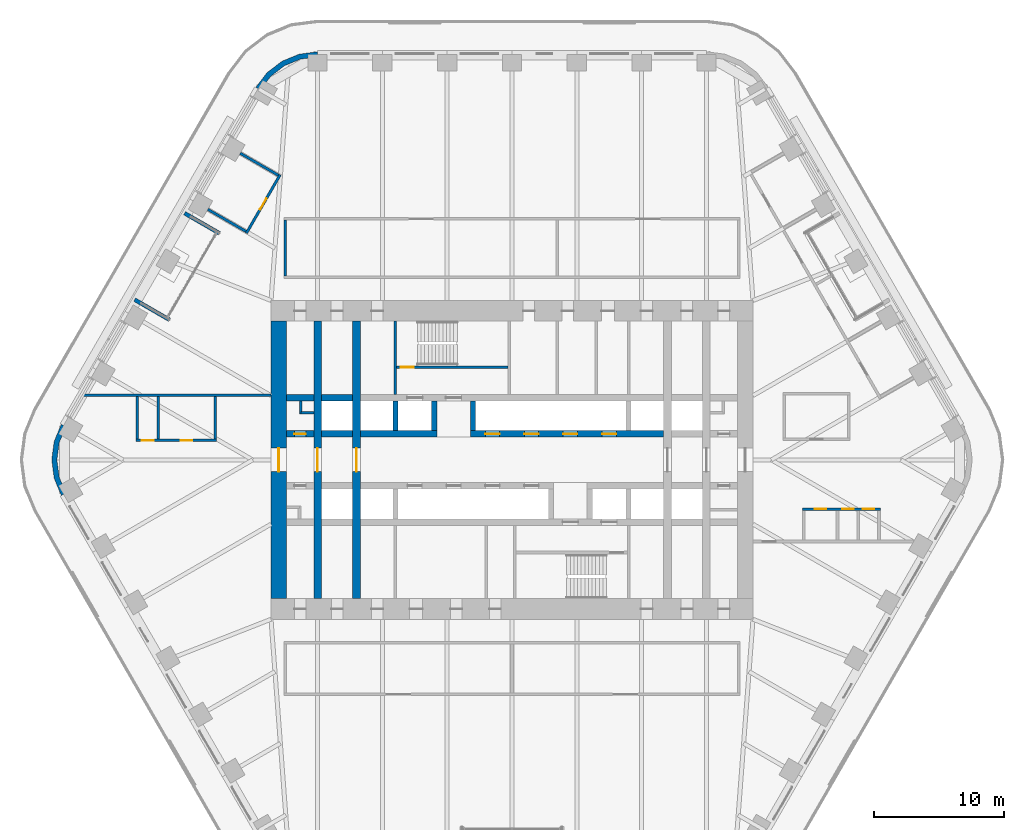
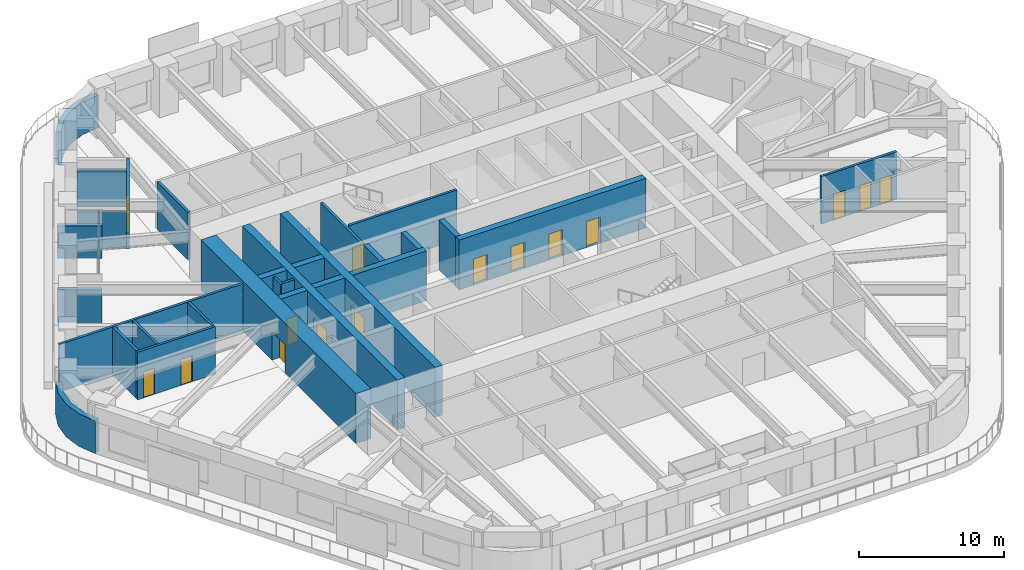
# One storey, part 19 of 24: 30 walls, 15 doors, 15 openings.
"""IFC4 building model written with IfcOpenShell, lengths in metres."""

from ifc_helpers import new_model, si_unit, direction, frame, frame_2d, origin, place, context, subcontext, project, spatial, polyline, rectangle, outline, extrude, material, layer, layer_set, type_object, element, fill, save


model = new_model("IFC4")

# Units and contexts
model_context = context("Model", 3, precision=1e-05, world=origin(), true_north=direction((0.0, 1.0)))
body_context = subcontext(model_context, "Body", "Model", "MODEL_VIEW")
ifc_project = project(units=[si_unit("LENGTHUNIT", "METRE"), si_unit("AREAUNIT", "SQUARE_METRE"), si_unit("VOLUMEUNIT", "CUBIC_METRE"), si_unit("PLANEANGLEUNIT", "RADIAN"), si_unit("MASSUNIT", "GRAM", prefix="KILO")], contexts=[model_context])

# Site, building, storey
site_placement = place(None, origin())
site = spatial("IfcSite", under=ifc_project, at=site_placement, CompositionType="ELEMENT")
building_placement = place(site_placement, origin())
building = spatial("IfcBuilding", under=site, at=building_placement, Name="Tarfa Lantern Tower", CompositionType="ELEMENT")
storey_placement = place(building_placement, frame((0.0, 0.0, 195.10009765625)))
storey = spatial("IfcBuildingStorey", under=building, at=storey_placement, Name="L44", CompositionType="ELEMENT", Elevation=195.10009765625)

# Walls
ifc_material_1 = material(Name="Limestone cladding on blockwork", Category="masonry")
ifc_layer_1 = layer(ifc_material_1, 0.300048828125)
ifc_layer_set_1 = layer_set([ifc_layer_1], Name="EW1 STONE-CLAD WALL 300")
wall_type_1 = type_object("IfcWallType", Name="EW1 STONE-CLAD WALL 300", PredefinedType="SOLIDWALL", material=ifc_layer_set_1)
wall_1_placement = place(storey_placement, frame((-25.266357421875, 19.037353515625, 0.0), z_axis=(0.0, 0.0, 1.0), x_axis=(0.86600983753, -0.500026960575, 0.0)))
element("IfcWall", 1, at=wall_1_placement, inside=storey, type_object=wall_type_1, Name="Loggia return NW 1", PredefinedType="SOLIDWALL", context=body_context, shape_type="SweptSolid", body=[
    extrude(rectangle(XDim=3.099853515625, YDim=0.300048828125, at=frame_2d((1.5498046875, 0.0))), origin(), (0.0, 0.0, 1.0), 2.75),
])
wall_2_placement = place(storey_placement, frame((-29.1201171875, 12.362548828125, 0.0), z_axis=(0.0, 0.0, 1.0), x_axis=(0.86602952684, -0.49999285859, 0.0)))
element("IfcWall", 2, at=wall_2_placement, inside=storey, type_object=wall_type_1, Name="Loggia return NW 2", PredefinedType="SOLIDWALL", context=body_context, shape_type="SweptSolid", body=[
    extrude(rectangle(XDim=3.10009765625, YDim=0.300048828125, at=frame_2d((1.550048828125, 0.0))), origin(), (0.0, 0.0, 1.0), 2.75),
])
ifc_layer_2 = layer(ifc_material_1, 0.39990234375)
ifc_layer_set_2 = layer_set([ifc_layer_2], Name="EW2 CURVED STONE CORNER 400")
wall_type_2 = type_object("IfcWallType", Name="EW2 CURVED STONE CORNER 400", PredefinedType="SOLIDWALL", material=ifc_layer_set_2)
wall_3_placement = place(storey_placement, origin())
element("IfcWall", 3, at=wall_3_placement, inside=storey, type_object=wall_type_2, Name="Stone corner N-NW", PredefinedType="SOLIDWALL", context=body_context, shape_type="SweptSolid", body=[
    extrude(outline(polyline([(-15.010986328125, 31.5), (-16.4345703125, 31.3125), (-17.760986328125, 30.76318359375), (-18.900146484375, 29.88916015625), (-19.774169921875, 28.75), (-19.427734375, 28.550048828125), (-18.617431640625, 29.606201171875), (-17.56103515625, 30.416748046875), (-16.3310546875, 30.92626953125), (-15.010986328125, 31.10009765625), (-15.010986328125, 31.5)])), origin(), (0.0, 0.0, 1.0), 2.75),
])
wall_4_placement = place(storey_placement, origin())
element("IfcWall", 4, at=wall_4_placement, inside=storey, type_object=wall_type_2, Name="Stone corner NW-SW", PredefinedType="SOLIDWALL", context=body_context, shape_type="SweptSolid", body=[
    extrude(outline(polyline([(-34.785400390625, 2.75), (-35.334716796875, 1.423583984375), (-35.522216796875, 0.0), (-35.334716796875, -1.423583984375), (-34.785400390625, -2.75), (-34.43896484375, -2.550048828125), (-34.948486328125, -1.320068359375), (-35.122314453125, 0.0), (-34.948486328125, 1.320068359375), (-34.43896484375, 2.550048828125), (-34.785400390625, 2.75)])), origin(), (0.0, 0.0, 1.0), 2.75),
])
ifc_material_2 = material(Name="Concrete blockwork", Category="masonry")
ifc_layer_3 = layer(ifc_material_2, 0.199951171875)
ifc_layer_set_3 = layer_set([ifc_layer_3], Name="IW1 BLOCKWORK PARTITION 200 EI 120")
wall_type_3 = type_object("IfcWallType", Name="IW1 BLOCKWORK PARTITION 200 EI 120", PredefinedType="PARTITIONING", material=ifc_layer_set_3)
wall_5_placement = place(storey_placement, frame((-9.0, 5.050048828125, 0.0), z_axis=(0.0, 0.0, 1.0), x_axis=(0.0, 1.0, 0.0)))
element("IfcWall", 5, at=wall_5_placement, inside=storey, type_object=wall_type_3, Name="Core partition", PredefinedType="PARTITIONING", context=body_context, shape_type="SweptSolid", body=[
    extrude(rectangle(XDim=5.64990234375, YDim=0.199951171875, at=frame_2d((2.824951171875, 0.0))), origin(), (0.0, 0.0, 1.0), 4.0),
])
for number, where, z_axis, x_axis, name in (
    (6, (-16.300048828125, 3.64990234375, 0.0), (0.0, 0.0, 1.0), (1.0, 0.0, 0.0), "Core partition"),
    (7, (-16.300048828125, 3.550048828125, 0.0), (0.0, 0.0, 1.0), (0.0, 1.0, 0.0), "Core partition"),
):
    element("IfcWall", number, at=place(storey_placement, frame(where, z_axis=z_axis, x_axis=x_axis)), inside=storey, type_object=wall_type_3, Name=name, PredefinedType="PARTITIONING", context=body_context, shape_type="SweptSolid", body=[
        extrude(rectangle(XDim=1.0, YDim=0.199951171875, at=frame_2d((0.5, 0.0))), origin(), (0.0, 0.0, 1.0), 4.0),
    ])
ifc_material_3 = material(Name="Gypsum board on steel studs", Category="steel")
ifc_layer_4 = layer(ifc_material_3, 0.2099609375)
ifc_layer_set_4 = layer_set([ifc_layer_4], Name="IW2 ACOUSTIC PARTITION 200")
wall_type_4 = type_object("IfcWallType", Name="IW2 ACOUSTIC PARTITION 200", PredefinedType="PARTITIONING", material=ifc_layer_set_4)
wall_6_placement = place(storey_placement, frame((-17.5, 14.199951171875, 0.0), z_axis=(0.0, 0.0, 1.0), x_axis=(0.0, 1.0, 0.0)))
element("IfcWall", 8, at=wall_6_placement, inside=storey, type_object=wall_type_4, Name="Partition", PredefinedType="PARTITIONING", context=body_context, shape_type="SweptSolid", body=[
    extrude(rectangle(XDim=4.300048828125, YDim=0.199951171875, at=frame_2d((2.14990234375, 0.0))), origin(), (0.0, 0.0, 1.0), 4.0),
])

# Wall, opening, door
wall_7_placement = place(storey_placement, frame((-17.89599609375, 22.003173828125, 0.0), z_axis=(0.0, 0.0, 1.0), x_axis=(-0.500009456303, -0.866019944116, 0.0)))
wall_7 = element("IfcWall", 9, at=wall_7_placement, inside=storey, type_object=wall_type_4, Name="Partition", PredefinedType="PARTITIONING", context=body_context, shape_type="SweptSolid", body=[
    extrude(rectangle(XDim=5.20361328125, YDim=0.199951171875, at=frame_2d((2.601806640625, 0.0))), origin(), (0.0, 0.0, 1.0), 4.0),
])
opening_1_placement = place(wall_7_placement, frame((2.101806640625, 0.0, 0.0)))
opening_1 = element("IfcOpeningElement", 10, at=opening_1_placement, cuts=wall_7, Name="Opening D38", PredefinedType="OPENING", context=body_context, shape_type="SweptSolid", body=[
    extrude(rectangle(XDim=1.0, YDim=2.199951171875, at=frame_2d((0.5, 1.10009765625))), frame((0.0, 0.10986328125, 0.0), z_axis=(0.0, -1.0, 0.0), x_axis=(1.0, 0.0, 0.0)), (0.0, 0.0, 1.0), 0.219970703125),
])
ifc_material_4 = material(Name="Timber door", Category="wood")
door_type_1 = type_object("IfcDoorType", Name="DR1 ROOM DOOR 1000x2200", OperationType="SINGLE_SWING_LEFT", PredefinedType="DOOR", material=ifc_material_4)
door_1_placement = place(opening_1_placement, frame((1.0, 0.0, 0.0), z_axis=(0.0, 0.0, 1.0), x_axis=(-1.0, 0.0, 0.0)))
door_1 = element("IfcDoor", 11, at=door_1_placement, inside=storey, type_object=door_type_1, Name="Materials preparation room door", OperationType="SINGLE_SWING_RIGHT", OverallHeight=2.199951171875, OverallWidth=1.0, PredefinedType="DOOR", context=body_context, shape_type="SweptSolid", body=[
    extrude(rectangle(XDim=1.0, YDim=2.199951171875, at=frame_2d((0.5, 1.10009765625))), frame((0.0, 0.02490234375, 0.0), z_axis=(0.0, -1.0, 0.0), x_axis=(1.0, 0.0, 0.0)), (0.0, 0.0, 1.0), 0.050048828125),
])
fill(opening_1, door_1)

# Walls
for number, where, z_axis, x_axis, name in (
    (12, (-18.032470703125, 21.966552734375, 0.0), (0.0, 0.0, 1.0), (-0.866007419912, 0.500031147688, 0.0), "Partition"),
    (13, (-20.534423828125, 17.63330078125, 0.0), (0.0, 0.0, 1.0), (-0.866038511948, 0.499977295307, 0.0), "Partition"),
):
    element("IfcWall", number, at=place(storey_placement, frame(where, z_axis=z_axis, x_axis=x_axis)), inside=storey, type_object=wall_type_4, Name=name, PredefinedType="PARTITIONING", context=body_context, shape_type="SweptSolid", body=[
        extrude(rectangle(XDim=3.400146484375, YDim=0.199951171875, at=frame_2d((1.7001953125, 0.0))), origin(), (0.0, 0.0, 1.0), 3.08154296875),
    ])
wall_8_placement = place(storey_placement, frame((-18.60009765625, 5.0, 0.0), z_axis=(0.0, 0.0, 1.0), x_axis=(-1.0, 0.0, 0.0)))
element("IfcWall", 14, at=wall_8_placement, inside=storey, type_object=wall_type_4, Name="Partition", PredefinedType="PARTITIONING", context=body_context, shape_type="SweptSolid", body=[
    extrude(rectangle(XDim=14.632080078125, YDim=0.199951171875, at=frame_2d((7.31591796875, 0.0))), origin(), (0.0, 0.0, 1.0), 4.0),
])

# Wall, openings, doors
wall_9_placement = place(storey_placement, frame((-22.816162109375, 1.5, 0.0), z_axis=(0.0, 0.0, 1.0), x_axis=(-1.0, 0.0, 0.0)))
wall_9 = element("IfcWall", 15, at=wall_9_placement, inside=storey, type_object=wall_type_4, Name="Partition", PredefinedType="PARTITIONING", context=body_context, shape_type="SweptSolid", body=[
    extrude(rectangle(XDim=6.199951171875, YDim=0.199951171875, at=frame_2d((3.10009765625, 0.0))), origin(), (0.0, 0.0, 1.0), 4.0),
])
opening_2_placement = place(wall_9_placement, frame((1.85009765625, 0.0, 0.0)))
opening_2 = element("IfcOpeningElement", 16, at=opening_2_placement, cuts=wall_9, Name="Opening D43", PredefinedType="OPENING", context=body_context, shape_type="SweptSolid", body=[
    extrude(rectangle(XDim=0.89990234375, YDim=2.199951171875, at=frame_2d((0.449951171875, 1.10009765625))), frame((0.0, 0.10986328125, 0.0), z_axis=(0.0, -1.0, 0.0), x_axis=(1.0, 0.0, 0.0)), (0.0, 0.0, 1.0), 0.219970703125),
])
opening_3_placement = place(wall_9_placement, frame((4.85009765625, 0.0, 0.0)))
opening_3 = element("IfcOpeningElement", 17, at=opening_3_placement, cuts=wall_9, Name="Opening D44", PredefinedType="OPENING", context=body_context, shape_type="SweptSolid", body=[
    extrude(rectangle(XDim=0.89990234375, YDim=2.199951171875, at=frame_2d((0.449951171875, 1.10009765625))), frame((0.0, 0.10986328125, 0.0), z_axis=(0.0, -1.0, 0.0), x_axis=(1.0, 0.0, 0.0)), (0.0, 0.0, 1.0), 0.219970703125),
])
door_type_2 = type_object("IfcDoorType", Name="DR3 ROOM DOOR 900x2200", OperationType="SINGLE_SWING_LEFT", PredefinedType="DOOR", material=ifc_material_4)
door_2_placement = place(opening_2_placement, frame((0.89990234375, 0.0, 0.0), z_axis=(0.0, 0.0, 1.0), x_axis=(-1.0, 0.0, 0.0)))
door_2 = element("IfcDoor", 18, at=door_2_placement, inside=storey, type_object=door_type_2, Name="Meeting room door", OperationType="SINGLE_SWING_LEFT", OverallHeight=2.199951171875, OverallWidth=0.89990234375, PredefinedType="DOOR", context=body_context, shape_type="SweptSolid", body=[
    extrude(rectangle(XDim=0.89990234375, YDim=2.199951171875, at=frame_2d((0.449951171875, 1.10009765625))), frame((0.0, 0.02490234375, 0.0), z_axis=(0.0, -1.0, 0.0), x_axis=(1.0, 0.0, 0.0)), (0.0, 0.0, 1.0), 0.050048828125),
])
fill(opening_2, door_2)
door_3_placement = place(opening_3_placement, frame((0.89990234375, 0.0, 0.0), z_axis=(0.0, 0.0, 1.0), x_axis=(-1.0, 0.0, 0.0)))
door_3 = element("IfcDoor", 19, at=door_3_placement, inside=storey, type_object=door_type_2, Name="Phone booth door", OperationType="SINGLE_SWING_RIGHT", OverallHeight=2.199951171875, OverallWidth=0.89990234375, PredefinedType="DOOR", context=body_context, shape_type="SweptSolid", body=[
    extrude(rectangle(XDim=0.89990234375, YDim=2.199951171875, at=frame_2d((0.449951171875, 1.10009765625))), frame((0.0, 0.02490234375, 0.0), z_axis=(0.0, -1.0, 0.0), x_axis=(1.0, 0.0, 0.0)), (0.0, 0.0, 1.0), 0.050048828125),
])
fill(opening_3, door_3)

# Walls
for number, where, z_axis, x_axis, name in (
    (20, (-22.916015625, 4.89990234375, 0.0), (0.0, 0.0, 1.0), (0.0, -1.0, 0.0), "Partition"),
    (21, (-27.316162109375, 4.89990234375, 0.0), (0.0, 0.0, 1.0), (0.0, -1.0, 0.0), "Partition"),
    (22, (-28.916015625, 4.89990234375, 0.0), (0.0, 0.0, 1.0), (0.0, -1.0, 0.0), "Partition"),
):
    element("IfcWall", number, at=place(storey_placement, frame(where, z_axis=z_axis, x_axis=x_axis)), inside=storey, type_object=wall_type_4, Name=name, PredefinedType="PARTITIONING", context=body_context, shape_type="SweptSolid", body=[
        extrude(rectangle(XDim=3.2998046875, YDim=0.199951171875, at=frame_2d((1.64990234375, 0.0))), origin(), (0.0, 0.0, 1.0), 4.0),
    ])

# Wall, openings, doors
wall_10_placement = place(storey_placement, frame((22.422119140625, -3.800048828125, 0.0), z_axis=(0.0, 0.0, 1.0), x_axis=(1.0, 0.0, 0.0)))
wall_10 = element("IfcWall", 23, at=wall_10_placement, inside=storey, type_object=wall_type_4, Name="Partition", PredefinedType="PARTITIONING", context=body_context, shape_type="SweptSolid", body=[
    extrude(rectangle(XDim=6.0, YDim=0.199951171875, at=frame_2d((3.0, 0.0))), origin(), (0.0, 0.0, 1.0), 4.0),
])
opening_4_placement = place(wall_10_placement, frame((0.949951171875, 0.0, 0.0)))
opening_4 = element("IfcOpeningElement", 24, at=opening_4_placement, cuts=wall_10, Name="Opening D45", PredefinedType="OPENING", context=body_context, shape_type="SweptSolid", body=[
    extrude(rectangle(XDim=0.89990234375, YDim=2.199951171875, at=frame_2d((0.449951171875, 1.10009765625))), frame((0.0, 0.10986328125, 0.0), z_axis=(0.0, -1.0, 0.0), x_axis=(1.0, 0.0, 0.0)), (0.0, 0.0, 1.0), 0.219970703125),
])
opening_5_placement = place(wall_10_placement, frame((3.050048828125, 0.0, 0.0)))
opening_5 = element("IfcOpeningElement", 25, at=opening_5_placement, cuts=wall_10, Name="Opening D46", PredefinedType="OPENING", context=body_context, shape_type="SweptSolid", body=[
    extrude(rectangle(XDim=0.89990234375, YDim=2.199951171875, at=frame_2d((0.449951171875, 1.10009765625))), frame((0.0, 0.10986328125, 0.0), z_axis=(0.0, -1.0, 0.0), x_axis=(1.0, 0.0, 0.0)), (0.0, 0.0, 1.0), 0.219970703125),
])
opening_6_placement = place(wall_10_placement, frame((4.64990234375, 0.0, 0.0)))
opening_6 = element("IfcOpeningElement", 26, at=opening_6_placement, cuts=wall_10, Name="Opening D47", PredefinedType="OPENING", context=body_context, shape_type="SweptSolid", body=[
    extrude(rectangle(XDim=0.89990234375, YDim=2.199951171875, at=frame_2d((0.449951171875, 1.10009765625))), frame((0.0, 0.10986328125, 0.0), z_axis=(0.0, -1.0, 0.0), x_axis=(1.0, 0.0, 0.0)), (0.0, 0.0, 1.0), 0.219970703125),
])
door_4_placement = place(opening_4_placement, frame((0.89990234375, 0.0, 0.0), z_axis=(0.0, 0.0, 1.0), x_axis=(-1.0, 0.0, 0.0)))
door_4 = element("IfcDoor", 27, at=door_4_placement, inside=storey, type_object=door_type_2, Name="Print and copy room door", OperationType="SINGLE_SWING_LEFT", OverallHeight=2.199951171875, OverallWidth=0.89990234375, PredefinedType="DOOR", context=body_context, shape_type="SweptSolid", body=[
    extrude(rectangle(XDim=0.89990234375, YDim=2.199951171875, at=frame_2d((0.449951171875, 1.10009765625))), frame((0.0, 0.02490234375, 0.0), z_axis=(0.0, -1.0, 0.0), x_axis=(1.0, 0.0, 0.0)), (0.0, 0.0, 1.0), 0.050048828125),
])
fill(opening_4, door_4)
door_5_placement = place(opening_5_placement, frame((0.89990234375, 0.0, 0.0), z_axis=(0.0, 0.0, 1.0), x_axis=(-1.0, 0.0, 0.0)))
door_5 = element("IfcDoor", 28, at=door_5_placement, inside=storey, type_object=door_type_2, Name="Phone booth door", OperationType="SINGLE_SWING_RIGHT", OverallHeight=2.199951171875, OverallWidth=0.89990234375, PredefinedType="DOOR", context=body_context, shape_type="SweptSolid", body=[
    extrude(rectangle(XDim=0.89990234375, YDim=2.199951171875, at=frame_2d((0.449951171875, 1.10009765625))), frame((0.0, 0.02490234375, 0.0), z_axis=(0.0, -1.0, 0.0), x_axis=(1.0, 0.0, 0.0)), (0.0, 0.0, 1.0), 0.050048828125),
])
fill(opening_5, door_5)
door_6_placement = place(opening_6_placement, frame((0.89990234375, 0.0, 0.0), z_axis=(0.0, 0.0, 1.0), x_axis=(-1.0, 0.0, 0.0)))
door_6 = element("IfcDoor", 29, at=door_6_placement, inside=storey, type_object=door_type_2, Name="Phone booth door", OperationType="SINGLE_SWING_RIGHT", OverallHeight=2.199951171875, OverallWidth=0.89990234375, PredefinedType="DOOR", context=body_context, shape_type="SweptSolid", body=[
    extrude(rectangle(XDim=0.89990234375, YDim=2.199951171875, at=frame_2d((0.449951171875, 1.10009765625))), frame((0.0, 0.02490234375, 0.0), z_axis=(0.0, -1.0, 0.0), x_axis=(1.0, 0.0, 0.0)), (0.0, 0.0, 1.0), 0.050048828125),
])
fill(opening_6, door_6)

# Wall, opening, door
ifc_material_5 = material(Name="Concrete C80/95", Category="concrete")
ifc_layer_5 = layer(ifc_material_5, 1.199951171875)
ifc_layer_set_5 = layer_set([ifc_layer_5], Name="SW1 CORE WALL 1200")
wall_type_5 = type_object("IfcWallType", Name="SW1 CORE WALL 1200", PredefinedType="SHEAR", material=ifc_layer_set_5)
wall_11_placement = place(storey_placement, frame((-18.0, 10.699951171875, 0.0), z_axis=(0.0, 0.0, 1.0), x_axis=(0.0, -1.0, 0.0)))
wall_11 = element("IfcWall", 30, at=wall_11_placement, inside=storey, type_object=wall_type_5, Name="Core wall W", PredefinedType="SHEAR", context=body_context, shape_type="SweptSolid", body=[
    extrude(rectangle(XDim=21.39990234375, YDim=1.199951171875, at=frame_2d((10.699951171875, 0.0))), origin(), (0.0, 0.0, 1.0), 4.199951171875),
])
opening_7_placement = place(wall_11_placement, frame((9.800048828125, 0.0, 0.0)))
opening_7 = element("IfcOpeningElement", 31, at=opening_7_placement, cuts=wall_11, Name="Opening D16", PredefinedType="OPENING", context=body_context, shape_type="SweptSolid", body=[
    extrude(rectangle(XDim=1.800048828125, YDim=2.39990234375, at=frame_2d((0.89990234375, 1.199951171875))), frame((0.0, 0.60986328125, 0.0), z_axis=(0.0, -1.0, 0.0), x_axis=(1.0, 0.0, 0.0)), (0.0, 0.0, 1.0), 1.219970703125),
])
ifc_material_6 = material(Name="Steel fire door", Category="steel")
door_type_3 = type_object("IfcDoorType", Name="DL1 LOBBY DOOR 1800x2400", OperationType="DOUBLE_DOOR_SINGLE_SWING", PredefinedType="DOOR", material=ifc_material_6)
door_7_placement = place(opening_7_placement, frame((1.800048828125, 0.0, 0.0), z_axis=(0.0, 0.0, 1.0), x_axis=(-1.0, 0.0, 0.0)))
door_7 = element("IfcDoor", 32, at=door_7_placement, inside=storey, type_object=door_type_3, Name="Lift lobby door", OperationType="DOUBLE_DOOR_SINGLE_SWING", OverallHeight=2.39990234375, OverallWidth=1.800048828125, PredefinedType="DOOR", context=body_context, shape_type="SweptSolid", body=[
    extrude(rectangle(XDim=1.800048828125, YDim=2.39990234375, at=frame_2d((0.89990234375, 1.199951171875))), frame((0.0, 0.02490234375, 0.0), z_axis=(0.0, -1.0, 0.0), x_axis=(1.0, 0.0, 0.0)), (0.0, 0.0, 1.0), 0.050048828125),
])
fill(opening_7, door_7)

ifc_layer_6 = layer(ifc_material_5, 0.199951171875)
ifc_layer_set_6 = layer_set([ifc_layer_6], Name="SW12 CORE WALL 200")
wall_type_6 = type_object("IfcWallType", Name="SW12 CORE WALL 200", PredefinedType="SHEAR", material=ifc_layer_set_6)
wall_12_placement = place(storey_placement, frame((-8.89990234375, 7.14990234375, 0.0), z_axis=(0.0, 0.0, 1.0), x_axis=(1.0, 0.0, 0.0)))
wall_12 = element("IfcWall", 33, at=wall_12_placement, inside=storey, type_object=wall_type_6, Name="Core wall stair partition N", PredefinedType="SHEAR", context=body_context, shape_type="SweptSolid", body=[
    extrude(rectangle(XDim=8.599853515625, YDim=0.199951171875, at=frame_2d((4.2998046875, 0.0))), origin(), (0.0, 0.0, 1.0), 4.199951171875),
])
opening_8_placement = place(wall_12_placement, frame((0.300048828125, 0.0, 0.0)))
opening_8 = element("IfcOpeningElement", 34, at=opening_8_placement, cuts=wall_12, Name="Opening D27", PredefinedType="OPENING", context=body_context, shape_type="SweptSolid", body=[
    extrude(rectangle(XDim=1.0, YDim=2.199951171875, at=frame_2d((0.5, 1.10009765625))), frame((0.0, 0.10986328125, 0.0), z_axis=(0.0, -1.0, 0.0), x_axis=(1.0, 0.0, 0.0)), (0.0, 0.0, 1.0), 0.219970703125),
])
door_type_4 = type_object("IfcDoorType", Name="DF2 STAIR DOOR 1000x2200", OperationType="SINGLE_SWING_LEFT", PredefinedType="DOOR", material=ifc_material_6)
door_8_placement = place(opening_8_placement, origin())
door_8 = element("IfcDoor", 35, at=door_8_placement, inside=storey, type_object=door_type_4, Name="Stair door", OperationType="SINGLE_SWING_RIGHT", OverallHeight=2.199951171875, OverallWidth=1.0, PredefinedType="DOOR", context=body_context, shape_type="SweptSolid", body=[
    extrude(rectangle(XDim=1.0, YDim=2.199951171875, at=frame_2d((0.5, 1.10009765625))), frame((0.0, 0.02490234375, 0.0), z_axis=(0.0, -1.0, 0.0), x_axis=(1.0, 0.0, 0.0)), (0.0, 0.0, 1.0), 0.050048828125),
])
fill(opening_8, door_8)

ifc_layer_7 = layer(ifc_material_5, 0.5)
ifc_layer_set_7 = layer_set([ifc_layer_7], Name="SW5 CORE WALL 500")
wall_type_7 = type_object("IfcWallType", Name="SW5 CORE WALL 500", PredefinedType="SHEAR", material=ifc_layer_set_7)
wall_13_placement = place(storey_placement, frame((-17.39990234375, 2.0, 0.0), z_axis=(0.0, 0.0, 1.0), x_axis=(1.0, 0.0, 0.0)))
wall_13 = element("IfcWall", 36, at=wall_13_placement, inside=storey, type_object=wall_type_7, Name="Core wall lobby west N", PredefinedType="SHEAR", context=body_context, shape_type="SweptSolid", body=[
    extrude(rectangle(XDim=2.099853515625, YDim=0.5, at=frame_2d((1.0498046875, 0.0))), origin(), (0.0, 0.0, 1.0), 4.199951171875),
])
opening_9_placement = place(wall_13_placement, frame((0.60009765625, 0.0, 0.0)))
opening_9 = element("IfcOpeningElement", 37, at=opening_9_placement, cuts=wall_13, Name="Opening D19", PredefinedType="OPENING", context=body_context, shape_type="SweptSolid", body=[
    extrude(rectangle(XDim=0.89990234375, YDim=2.199951171875, at=frame_2d((0.449951171875, 1.10009765625))), frame((0.0, 0.260009765625, 0.0), z_axis=(0.0, -1.0, 0.0), x_axis=(1.0, 0.0, 0.0)), (0.0, 0.0, 1.0), 0.52001953125),
])
door_type_5 = type_object("IfcDoorType", Name="DF6 SERVICE ROOM DOOR 900x2200", OperationType="SINGLE_SWING_LEFT", PredefinedType="DOOR", material=ifc_material_6)
door_9_placement = place(opening_9_placement, origin())
door_9 = element("IfcDoor", 38, at=door_9_placement, inside=storey, type_object=door_type_5, Name="Service room door", OperationType="SINGLE_SWING_LEFT", OverallHeight=2.199951171875, OverallWidth=0.89990234375, PredefinedType="DOOR", context=body_context, shape_type="SweptSolid", body=[
    extrude(rectangle(XDim=0.89990234375, YDim=2.199951171875, at=frame_2d((0.449951171875, 1.10009765625))), frame((0.0, 0.02490234375, 0.0), z_axis=(0.0, -1.0, 0.0), x_axis=(1.0, 0.0, 0.0)), (0.0, 0.0, 1.0), 0.050048828125),
])
fill(opening_9, door_9)

# Walls
wall_14_placement = place(storey_placement, frame((-14.699951171875, 2.0, 0.0), z_axis=(0.0, 0.0, 1.0), x_axis=(1.0, 0.0, 0.0)))
element("IfcWall", 39, at=wall_14_placement, inside=storey, type_object=wall_type_7, Name="Core wall lobby west N", PredefinedType="SHEAR", context=body_context, shape_type="SweptSolid", body=[
    extrude(rectangle(XDim=2.39990234375, YDim=0.5, at=frame_2d((1.199951171875, 0.0))), origin(), (0.0, 0.0, 1.0), 4.199951171875),
])
wall_15_placement = place(storey_placement, frame((-11.699951171875, 2.0, 0.0), z_axis=(0.0, 0.0, 1.0), x_axis=(1.0, 0.0, 0.0)))
element("IfcWall", 40, at=wall_15_placement, inside=storey, type_object=wall_type_7, Name="Core wall lobby west N", PredefinedType="SHEAR", context=body_context, shape_type="SweptSolid", body=[
    extrude(rectangle(XDim=5.89990234375, YDim=0.5, at=frame_2d((2.949951171875, 0.0))), origin(), (0.0, 0.0, 1.0), 4.199951171875),
])

# Wall, openings, doors
wall_16_placement = place(storey_placement, frame((-3.199951171875, 2.0, 0.0), z_axis=(0.0, 0.0, 1.0), x_axis=(1.0, 0.0, 0.0)))
wall_16 = element("IfcWall", 41, at=wall_16_placement, inside=storey, type_object=wall_type_7, Name="Core wall lobby east N", PredefinedType="SHEAR", context=body_context, shape_type="SweptSolid", body=[
    extrude(rectangle(XDim=14.89990234375, YDim=0.5, at=frame_2d((7.449951171875, 0.0))), origin(), (0.0, 0.0, 1.0), 4.199951171875),
])
opening_10_placement = place(wall_16_placement, frame((1.14990234375, 0.0, 0.0)))
opening_10 = element("IfcOpeningElement", 42, at=opening_10_placement, cuts=wall_16, Name="Opening LD03", PredefinedType="OPENING", context=body_context, shape_type="SweptSolid", body=[
    extrude(rectangle(XDim=1.10009765625, YDim=2.199951171875, at=frame_2d((0.550048828125, 1.10009765625))), frame((0.0, 0.260009765625, 0.0), z_axis=(0.0, -1.0, 0.0), x_axis=(1.0, 0.0, 0.0)), (0.0, 0.0, 1.0), 0.52001953125),
])
opening_11_placement = place(wall_16_placement, frame((4.14990234375, 0.0, 0.0)))
opening_11 = element("IfcOpeningElement", 43, at=opening_11_placement, cuts=wall_16, Name="Opening LD04", PredefinedType="OPENING", context=body_context, shape_type="SweptSolid", body=[
    extrude(rectangle(XDim=1.10009765625, YDim=2.199951171875, at=frame_2d((0.550048828125, 1.10009765625))), frame((0.0, 0.260009765625, 0.0), z_axis=(0.0, -1.0, 0.0), x_axis=(1.0, 0.0, 0.0)), (0.0, 0.0, 1.0), 0.52001953125),
])
opening_12_placement = place(wall_16_placement, frame((7.14990234375, 0.0, 0.0)))
opening_12 = element("IfcOpeningElement", 44, at=opening_12_placement, cuts=wall_16, Name="Opening LD05", PredefinedType="OPENING", context=body_context, shape_type="SweptSolid", body=[
    extrude(rectangle(XDim=1.10009765625, YDim=2.199951171875, at=frame_2d((0.550048828125, 1.10009765625))), frame((0.0, 0.260009765625, 0.0), z_axis=(0.0, -1.0, 0.0), x_axis=(1.0, 0.0, 0.0)), (0.0, 0.0, 1.0), 0.52001953125),
])
opening_13_placement = place(wall_16_placement, frame((10.14990234375, 0.0, 0.0)))
opening_13 = element("IfcOpeningElement", 45, at=opening_13_placement, cuts=wall_16, Name="Opening LD06", PredefinedType="OPENING", context=body_context, shape_type="SweptSolid", body=[
    extrude(rectangle(XDim=1.10009765625, YDim=2.199951171875, at=frame_2d((0.550048828125, 1.10009765625))), frame((0.0, 0.260009765625, 0.0), z_axis=(0.0, -1.0, 0.0), x_axis=(1.0, 0.0, 0.0)), (0.0, 0.0, 1.0), 0.52001953125),
])
ifc_material_7 = material(Name="Stainless steel lift door", Category="steel")
door_type_6 = type_object("IfcDoorType", Name="LD2 LIFT LANDING DOOR 1100x2200", OperationType="SLIDING_TO_LEFT", PredefinedType="DOOR", material=ifc_material_7)
door_10_placement = place(opening_10_placement, frame((1.10009765625, 0.0, 0.0), z_axis=(0.0, 0.0, 1.0), x_axis=(-1.0, 0.0, 0.0)))
door_10 = element("IfcDoor", 46, at=door_10_placement, inside=storey, type_object=door_type_6, Name="Landing door PB1", OperationType="SLIDING_TO_LEFT", OverallHeight=2.199951171875, OverallWidth=1.10009765625, PredefinedType="DOOR", context=body_context, shape_type="SweptSolid", body=[
    extrude(rectangle(XDim=1.10009765625, YDim=2.199951171875, at=frame_2d((0.550048828125, 1.10009765625))), frame((0.0, 0.02490234375, 0.0), z_axis=(0.0, -1.0, 0.0), x_axis=(1.0, 0.0, 0.0)), (0.0, 0.0, 1.0), 0.050048828125),
])
fill(opening_10, door_10)
door_11_placement = place(opening_11_placement, frame((1.10009765625, 0.0, 0.0), z_axis=(0.0, 0.0, 1.0), x_axis=(-1.0, 0.0, 0.0)))
door_11 = element("IfcDoor", 47, at=door_11_placement, inside=storey, type_object=door_type_6, Name="Landing door PB2", OperationType="SLIDING_TO_LEFT", OverallHeight=2.199951171875, OverallWidth=1.10009765625, PredefinedType="DOOR", context=body_context, shape_type="SweptSolid", body=[
    extrude(rectangle(XDim=1.10009765625, YDim=2.199951171875, at=frame_2d((0.550048828125, 1.10009765625))), frame((0.0, 0.02490234375, 0.0), z_axis=(0.0, -1.0, 0.0), x_axis=(1.0, 0.0, 0.0)), (0.0, 0.0, 1.0), 0.050048828125),
])
fill(opening_11, door_11)
door_12_placement = place(opening_12_placement, frame((1.10009765625, 0.0, 0.0), z_axis=(0.0, 0.0, 1.0), x_axis=(-1.0, 0.0, 0.0)))
door_12 = element("IfcDoor", 48, at=door_12_placement, inside=storey, type_object=door_type_6, Name="Landing door PB3", OperationType="SLIDING_TO_LEFT", OverallHeight=2.199951171875, OverallWidth=1.10009765625, PredefinedType="DOOR", context=body_context, shape_type="SweptSolid", body=[
    extrude(rectangle(XDim=1.10009765625, YDim=2.199951171875, at=frame_2d((0.550048828125, 1.10009765625))), frame((0.0, 0.02490234375, 0.0), z_axis=(0.0, -1.0, 0.0), x_axis=(1.0, 0.0, 0.0)), (0.0, 0.0, 1.0), 0.050048828125),
])
fill(opening_12, door_12)
door_13_placement = place(opening_13_placement, frame((1.10009765625, 0.0, 0.0), z_axis=(0.0, 0.0, 1.0), x_axis=(-1.0, 0.0, 0.0)))
door_13 = element("IfcDoor", 49, at=door_13_placement, inside=storey, type_object=door_type_6, Name="Landing door PB4", OperationType="SLIDING_TO_LEFT", OverallHeight=2.199951171875, OverallWidth=1.10009765625, PredefinedType="DOOR", context=body_context, shape_type="SweptSolid", body=[
    extrude(rectangle(XDim=1.10009765625, YDim=2.199951171875, at=frame_2d((0.550048828125, 1.10009765625))), frame((0.0, 0.02490234375, 0.0), z_axis=(0.0, -1.0, 0.0), x_axis=(1.0, 0.0, 0.0)), (0.0, 0.0, 1.0), 0.050048828125),
])
fill(opening_13, door_13)

# Walls
wall_17_placement = place(storey_placement, frame((-17.39990234375, 4.800048828125, 0.0), z_axis=(0.0, 0.0, 1.0), x_axis=(1.0, 0.0, 0.0)))
element("IfcWall", 50, at=wall_17_placement, inside=storey, type_object=wall_type_7, Name="Core wall rear N", PredefinedType="SHEAR", context=body_context, shape_type="SweptSolid", body=[
    extrude(rectangle(XDim=2.099853515625, YDim=0.5, at=frame_2d((1.0498046875, 0.0))), origin(), (0.0, 0.0, 1.0), 4.199951171875),
])
wall_18_placement = place(storey_placement, frame((-14.699951171875, 4.800048828125, 0.0), z_axis=(0.0, 0.0, 1.0), x_axis=(1.0, 0.0, 0.0)))
element("IfcWall", 51, at=wall_18_placement, inside=storey, type_object=wall_type_7, Name="Core wall rear N", PredefinedType="SHEAR", context=body_context, shape_type="SweptSolid", body=[
    extrude(rectangle(XDim=2.39990234375, YDim=0.5, at=frame_2d((1.199951171875, 0.0))), origin(), (0.0, 0.0, 1.0), 4.199951171875),
])
ifc_layer_8 = layer(ifc_material_5, 0.39990234375)
ifc_layer_set_8 = layer_set([ifc_layer_8], Name="SW6 CORE WALL 400")
wall_type_8 = type_object("IfcWallType", Name="SW6 CORE WALL 400", PredefinedType="SHEAR", material=ifc_layer_set_8)
for number, where, z_axis, x_axis, name in (
    (52, (-9.0, 2.25, 0.0), (0.0, 0.0, 1.0), (0.0, 1.0, 0.0), "Core wall divider N"),
    (53, (-6.0, 2.25, 0.0), (0.0, 0.0, 1.0), (0.0, 1.0, 0.0), "Core wall divider N"),
    (54, (-3.0, 2.25, 0.0), (0.0, 0.0, 1.0), (0.0, 1.0, 0.0), "Core wall divider N"),
):
    element("IfcWall", number, at=place(storey_placement, frame(where, z_axis=z_axis, x_axis=x_axis)), inside=storey, type_object=wall_type_8, Name=name, PredefinedType="SHEAR", context=body_context, shape_type="SweptSolid", body=[
        extrude(rectangle(XDim=2.300048828125, YDim=0.39990234375, at=frame_2d((1.14990234375, 0.0))), origin(), (0.0, 0.0, 1.0), 4.199951171875),
    ])

# Wall, opening, door
ifc_layer_9 = layer(ifc_material_5, 0.60009765625)
ifc_layer_set_9 = layer_set([ifc_layer_9], Name="SW9 CORE WALL 600")
wall_type_9 = type_object("IfcWallType", Name="SW9 CORE WALL 600", PredefinedType="SHEAR", material=ifc_layer_set_9)
wall_19_placement = place(storey_placement, frame((-12.0, -10.699951171875, 0.0), z_axis=(0.0, 0.0, 1.0), x_axis=(0.0, 1.0, 0.0)))
wall_19 = element("IfcWall", 55, at=wall_19_placement, inside=storey, type_object=wall_type_9, Name="Core wall cross 12 m west", PredefinedType="SHEAR", context=body_context, shape_type="SweptSolid", body=[
    extrude(rectangle(XDim=21.39990234375, YDim=0.60009765625, at=frame_2d((10.699951171875, 0.0))), origin(), (0.0, 0.0, 1.0), 4.199951171875),
])
opening_14_placement = place(wall_19_placement, frame((9.800048828125, 0.0, 0.0)))
opening_14 = element("IfcOpeningElement", 56, at=opening_14_placement, cuts=wall_19, Name="Opening D31", PredefinedType="OPENING", context=body_context, shape_type="SweptSolid", body=[
    extrude(rectangle(XDim=1.800048828125, YDim=2.39990234375, at=frame_2d((0.89990234375, 1.199951171875))), frame((0.0, 0.31005859375, 0.0), z_axis=(0.0, -1.0, 0.0), x_axis=(1.0, 0.0, 0.0)), (0.0, 0.0, 1.0), 0.6201171875),
])
door_14_placement = place(opening_14_placement, origin())
door_14 = element("IfcDoor", 57, at=door_14_placement, inside=storey, type_object=door_type_3, Name="Lift lobby door", OperationType="DOUBLE_DOOR_SINGLE_SWING", OverallHeight=2.39990234375, OverallWidth=1.800048828125, PredefinedType="DOOR", context=body_context, shape_type="SweptSolid", body=[
    extrude(rectangle(XDim=1.800048828125, YDim=2.39990234375, at=frame_2d((0.89990234375, 1.199951171875))), frame((0.0, 0.02490234375, 0.0), z_axis=(0.0, -1.0, 0.0), x_axis=(1.0, 0.0, 0.0)), (0.0, 0.0, 1.0), 0.050048828125),
])
fill(opening_14, door_14)

wall_20_placement = place(storey_placement, frame((-15.0, -10.699951171875, 0.0), z_axis=(0.0, 0.0, 1.0), x_axis=(0.0, 1.0, 0.0)))
wall_20 = element("IfcWall", 58, at=wall_20_placement, inside=storey, type_object=wall_type_9, Name="Core wall cross 15 m west", PredefinedType="SHEAR", context=body_context, shape_type="SweptSolid", body=[
    extrude(rectangle(XDim=21.39990234375, YDim=0.60009765625, at=frame_2d((10.699951171875, 0.0))), origin(), (0.0, 0.0, 1.0), 4.199951171875),
])
opening_15_placement = place(wall_20_placement, frame((9.800048828125, 0.0, 0.0)))
opening_15 = element("IfcOpeningElement", 59, at=opening_15_placement, cuts=wall_20, Name="Opening D32", PredefinedType="OPENING", context=body_context, shape_type="SweptSolid", body=[
    extrude(rectangle(XDim=1.800048828125, YDim=2.39990234375, at=frame_2d((0.89990234375, 1.199951171875))), frame((0.0, 0.31005859375, 0.0), z_axis=(0.0, -1.0, 0.0), x_axis=(1.0, 0.0, 0.0)), (0.0, 0.0, 1.0), 0.6201171875),
])
door_15_placement = place(opening_15_placement, origin())
door_15 = element("IfcDoor", 60, at=door_15_placement, inside=storey, type_object=door_type_3, Name="Lift lobby door", OperationType="DOUBLE_DOOR_SINGLE_SWING", OverallHeight=2.39990234375, OverallWidth=1.800048828125, PredefinedType="DOOR", context=body_context, shape_type="SweptSolid", body=[
    extrude(rectangle(XDim=1.800048828125, YDim=2.39990234375, at=frame_2d((0.89990234375, 1.199951171875))), frame((0.0, 0.02490234375, 0.0), z_axis=(0.0, -1.0, 0.0), x_axis=(1.0, 0.0, 0.0)), (0.0, 0.0, 1.0), 0.050048828125),
])
fill(opening_15, door_15)

save(model, "model.ifc")
